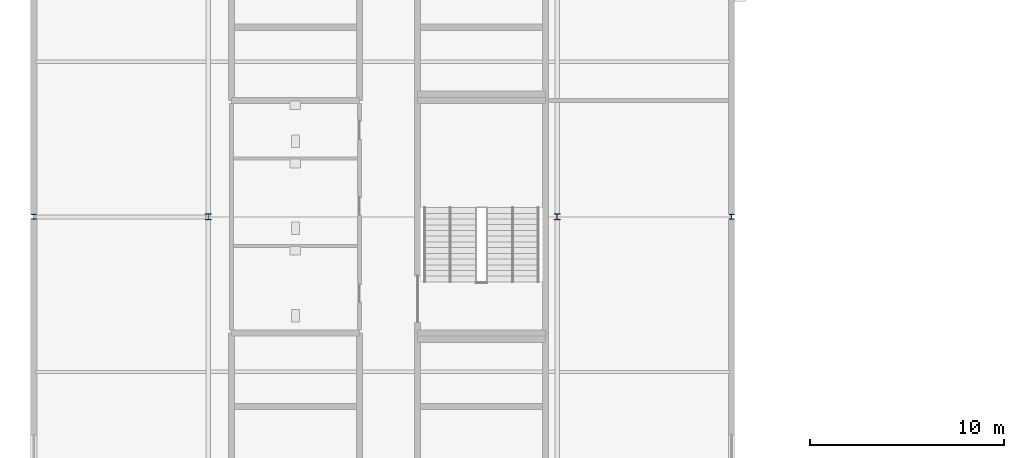
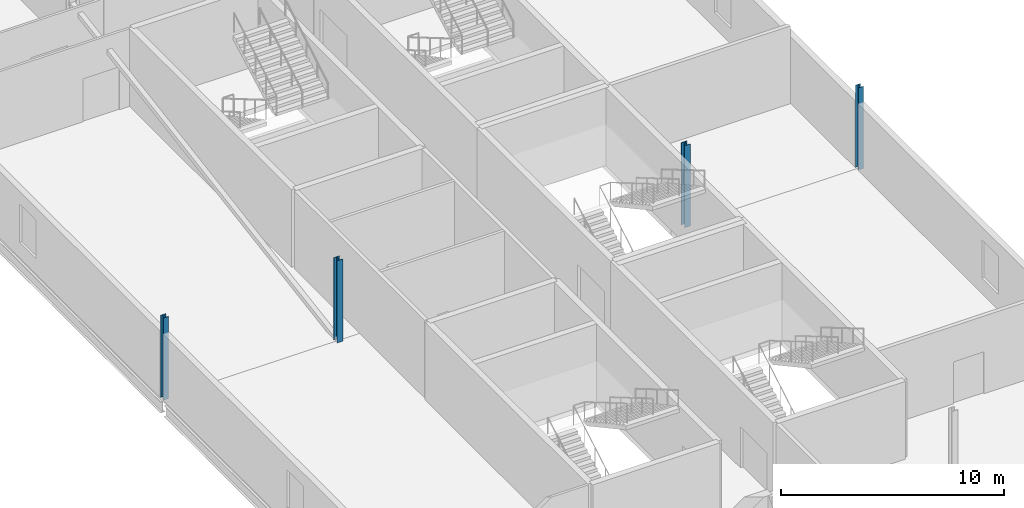
# One storey, part 2 of 28: 4 columns.
"""IFC4 building model written with IfcOpenShell, lengths in metres."""

from ifc_helpers import new_model, si_unit, direction, frame, origin, origin_2d, place, context, subcontext, project, spatial, i_section, extrude, material, material_profile, profile_set, type_object, element, save


model = new_model("IFC4")

# Units and contexts
model_context = context("Model", 3, precision=1e-05, world=origin(), true_north=direction((0.0, 1.0)))
body_context = subcontext(model_context, "Body", "Model", "MODEL_VIEW")
ifc_project = project(units=[si_unit("LENGTHUNIT", "METRE"), si_unit("AREAUNIT", "SQUARE_METRE"), si_unit("VOLUMEUNIT", "CUBIC_METRE"), si_unit("PLANEANGLEUNIT", "RADIAN"), si_unit("MASSUNIT", "GRAM", prefix="KILO")], contexts=[model_context])

# Site, building, storey
site_placement = place(None, origin())
site = spatial("IfcSite", under=ifc_project, at=site_placement, CompositionType="ELEMENT")
building_placement = place(site_placement, origin())
building = spatial("IfcBuilding", under=site, at=building_placement, Name="Kisiwana Market Hall", CompositionType="ELEMENT")
storey_placement = place(building_placement, frame((0.0, 0.0, 49.5)))
storey = spatial("IfcBuildingStorey", under=building, at=storey_placement, Name="L11", CompositionType="ELEMENT", Elevation=49.5)

# Columns
ifc_material_1 = material(Name="Steel S355", Category="steel")
ifc_material_profile_1 = material_profile(ifc_material_1, i_section(OverallWidth=0.300048828125, OverallDepth=0.300048828125, WebThickness=0.010986328125, FlangeThickness=0.01904296875, FilletRadius=0.027099609375, at=origin_2d()), Name="HEB 300")
ifc_profile_set_1 = profile_set([ifc_material_profile_1], Name="Steel S355")
column_type_1 = type_object("IfcColumnType", Name="COL-STL-HEB300", PredefinedType="COLUMN", material=ifc_profile_set_1)
for number, where, z_axis, x_axis, name in (
    (1, (27.0, 60.0, 0.0), (0.0, 0.0, 1.0), (1.0, 0.0, 0.0), "Column H/4 (L11) C-1333"),
    (2, (9.0, 60.0, 0.0), (0.0, 0.0, 1.0), (1.0, 0.0, 0.0), "Column H/2 (L11) C-1318"),
):
    element("IfcColumn", number, at=place(storey_placement, frame(where, z_axis=z_axis, x_axis=x_axis)), inside=storey, type_object=column_type_1, Name=name, PredefinedType="COLUMN", context=body_context, shape_type="SweptSolid", body=[
        extrude(i_section(OverallWidth=0.300048828125, OverallDepth=0.300048828125, WebThickness=0.010986328125, FlangeThickness=0.01904296875, FilletRadius=0.027099609375, at=origin_2d()), origin(), (0.0, 0.0, 1.0), 4.5),
    ])
ifc_material_2 = material(Name="Steel S355", Category="steel")
ifc_material_profile_2 = material_profile(ifc_material_2, i_section(OverallWidth=0.2587890625, OverallDepth=0.2666015625, WebThickness=0.0126953125, FlangeThickness=0.0205078125, at=origin_2d()), Name="UC 254x254x107")
ifc_profile_set_2 = profile_set([ifc_material_profile_2], Name="Steel S355")
column_type_2 = type_object("IfcColumnType", Name="COL-STL-UC107", PredefinedType="COLUMN", material=ifc_profile_set_2)
for number, where, z_axis, x_axis, name in (
    (3, (0.0, 60.0, 0.0), (0.0, 0.0, 1.0), (1.0, 0.0, 0.0), "Column H/1 (L11) C-1324"),
    (4, (36.0, 60.0, 0.0), (0.0, 0.0, 1.0), (1.0, 0.0, 0.0), "Column H/5 (L11) C-1319"),
):
    element("IfcColumn", number, at=place(storey_placement, frame(where, z_axis=z_axis, x_axis=x_axis)), inside=storey, type_object=column_type_2, Name=name, PredefinedType="COLUMN", context=body_context, shape_type="SweptSolid", body=[
        extrude(i_section(OverallWidth=0.2587890625, OverallDepth=0.2666015625, WebThickness=0.0126953125, FlangeThickness=0.0205078125, at=origin_2d()), origin(), (0.0, 0.0, 1.0), 4.5),
    ])

save(model, "model.ifc")
